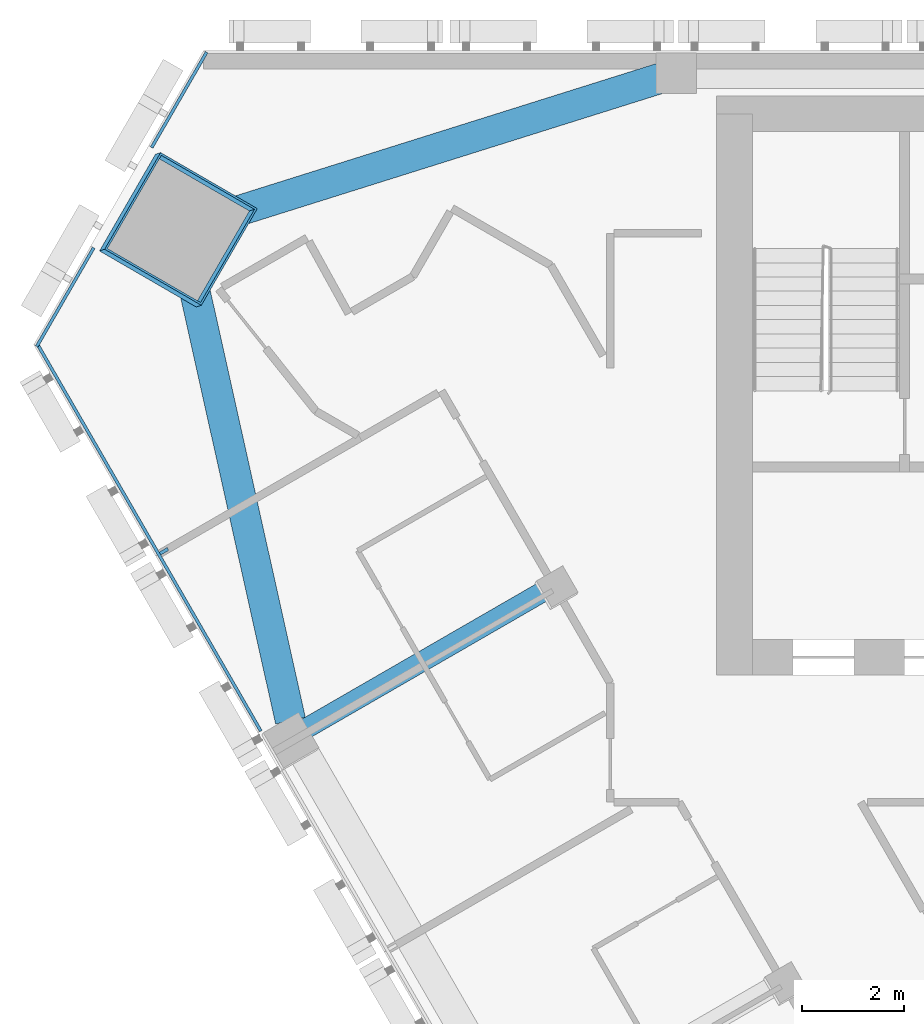
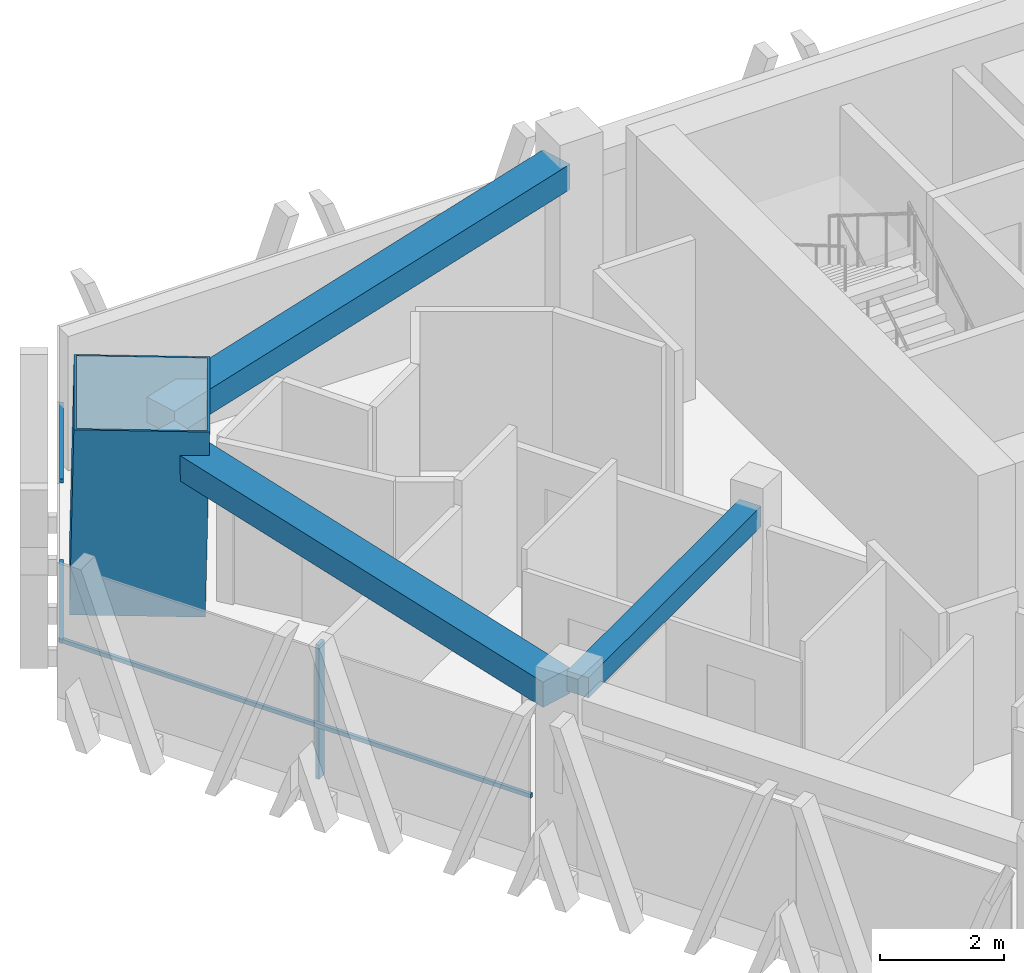
# One storey, part 5 of 16: 5 members, 3 beams, 2 elements without a shape of their own.
"""IFC4 building model written with IfcOpenShell, lengths in metres."""

from ifc_helpers import new_model, si_unit, direction, frame, origin, origin_2d, place, context, subcontext, project, spatial, rectangle, hollow_rectangle, extrude, material, layer, layer_set, material_profile, profile_set, type_object, element, aggregate, save


model = new_model("IFC4")

# Units and contexts
model_context = context("Model", 3, precision=1e-05, world=origin(), true_north=direction((0.0, 1.0)))
body_context = subcontext(model_context, "Body", "Model", "MODEL_VIEW")
ifc_project = project(units=[si_unit("LENGTHUNIT", "METRE"), si_unit("AREAUNIT", "SQUARE_METRE"), si_unit("VOLUMEUNIT", "CUBIC_METRE"), si_unit("PLANEANGLEUNIT", "RADIAN"), si_unit("MASSUNIT", "GRAM", prefix="KILO")], contexts=[model_context])

# Site, building, storey
site_placement = place(None, origin())
site = spatial("IfcSite", under=ifc_project, at=site_placement, CompositionType="ELEMENT")
building_placement = place(site_placement, origin())
building = spatial("IfcBuilding", under=site, at=building_placement, Name="Altiplano Prism Tower", CompositionType="ELEMENT")
storey_placement = place(building_placement, frame((0.0, 0.0, 181.800048828125)))
storey = spatial("IfcBuildingStorey", under=building, at=storey_placement, Name="L47", CompositionType="ELEMENT", Elevation=181.800048828125)

# Curtain wall, member
ifc_material_1 = material(Name="Aluminium and glass", Category="aluminium")
ifc_layer = layer(ifc_material_1, 0.280029296875)
ifc_layer_set = layer_set([ifc_layer], Name="Aluminium and glass")
curtain_wall_type = type_object("IfcCurtainWallType", Name="CW1 typical co-living unitised curtain wall", PredefinedType="NOTDEFINED", material=ifc_layer_set)
curtain_wall_1_placement = place(storey_placement, origin())
curtain_wall_1 = element("IfcCurtainWall", 1, at=curtain_wall_1_placement, inside=storey, type_object=curtain_wall_type, Name="CW1 curtain wall south-west face L47", PredefinedType="NOTDEFINED")
ifc_material_2 = material(Name="Aluminium", Category="aluminium")
ifc_material_profile_1 = material_profile(ifc_material_2, rectangle(XDim=0.179931640625, YDim=0.06494140625, at=origin_2d()), Name="CW1 mullion 65 x 180")
ifc_profile_set_1 = profile_set([ifc_material_profile_1], Name="Aluminium")
member_type_1 = type_object("IfcMemberType", Name="CW1 mullion 65 x 180", PredefinedType="MULLION", material=ifc_profile_set_1)
member_1_placement = place(storey_placement, frame((61.41748046875, 95.140869140625, 0.0), z_axis=(0.0, 0.0, 1.0), x_axis=(0.866025409055, 0.499999990871, 0.0)))
member_1 = element("IfcMember", 2, at=member_1_placement, type_object=member_type_1, Name="CW1 mullion", PredefinedType="MULLION", context=body_context, shape_type="SweptSolid", body=[
    extrude(rectangle(XDim=0.179931640625, YDim=0.06494140625, at=origin_2d()), origin(), (0.0, 0.0, 1.0), 2.64990234375),
])

# Curtain wall, members
curtain_wall_2_placement = place(storey_placement, origin())
curtain_wall_2 = element("IfcCurtainWall", 3, at=curtain_wall_2_placement, inside=storey, type_object=curtain_wall_type, Name="CW1 curtain wall north-west chamfer L47", PredefinedType="NOTDEFINED")
ifc_material_profile_2 = material_profile(ifc_material_2, rectangle(XDim=0.06005859375, YDim=0.080078125, at=origin_2d()), Name="CW1 transom 80 x 60")
ifc_profile_set_2 = profile_set([ifc_material_profile_2], Name="Aluminium")
member_type_2 = type_object("IfcMemberType", Name="CW1 transom 80 x 60", PredefinedType="USERDEFINED", material=ifc_profile_set_2)
member_2_placement = place(storey_placement, frame((62.2568359375, 104.965087890625, 1.099853515625), z_axis=(-0.49994694163, -0.866056034881, 0.0), x_axis=(0.866056034881, -0.49994694163, 0.0)))
member_2 = element("IfcMember", 4, at=member_2_placement, type_object=member_type_2, Name="CW1 transom", ObjectType="TRANSOM", PredefinedType="USERDEFINED", context=body_context, shape_type="SweptSolid", body=[
    extrude(rectangle(XDim=0.06005859375, YDim=0.080078125, at=origin_2d()), origin(), (0.0, 0.0, 1.0), 2.165283203125),
])
member_3_placement = place(storey_placement, frame((60.034423828125, 101.115478515625, 1.099853515625), z_axis=(-0.499998569178, -0.866026229868, 0.0), x_axis=(0.866026229868, -0.499998569178, 0.0)))
member_3 = element("IfcMember", 5, at=member_3_placement, type_object=member_type_2, Name="CW1 transom", ObjectType="TRANSOM", PredefinedType="USERDEFINED", context=body_context, shape_type="SweptSolid", body=[
    extrude(rectangle(XDim=0.06005859375, YDim=0.080078125, at=origin_2d()), origin(), (0.0, 0.0, 1.0), 2.2451171875),
])
aggregate(curtain_wall_2, [member_2, member_3])

# Member
member_4_placement = place(storey_placement, frame((58.911865234375, 99.240966796875, 1.099853515625), z_axis=(0.500007454112, -0.866021100108, 0.0), x_axis=(0.866021100108, 0.500007454112, 0.0)))
member_4 = element("IfcMember", 6, at=member_4_placement, type_object=member_type_2, Name="CW1 transom", ObjectType="TRANSOM", PredefinedType="USERDEFINED", context=body_context, shape_type="SweptSolid", body=[
    extrude(rectangle(XDim=0.06005859375, YDim=0.080078125, at=origin_2d()), origin(), (0.0, 0.0, 1.0), 8.823974609375),
])

aggregate(curtain_wall_1, [member_1, member_4])

# Beams
ifc_material_3 = material(Name="Concrete C60/75", Category="concrete")
ifc_material_profile_3 = material_profile(ifc_material_3, rectangle(XDim=0.60009765625, YDim=0.5, at=origin_2d()), Name="Edge beam 600x500")
ifc_profile_set_3 = profile_set([ifc_material_profile_3], Name="Concrete C60/75")
beam_type_1 = type_object("IfcBeamType", Name="Edge beam 600x500", PredefinedType="SPANDREL", material=ifc_profile_set_3)
for number, where, z_axis, x_axis, name in (
    (7, (71.214599609375, 104.460205078125, 2.89990234375), (-0.954000248647, -0.29980581312, 0.0), (0.29980581312, -0.954000248647, 0.0), "Edge beam P04-M0 L48"),
    (8, (61.849609375, 101.047119140625, 2.89990234375), (0.21735085258, -0.976093544125, 0.0), (0.976093544125, 0.21735085258, 0.0), "Edge beam M0-P11 L48"),
):
    element("IfcBeam", number, at=place(storey_placement, frame(where, z_axis=z_axis, x_axis=x_axis)), inside=storey, type_object=beam_type_1, Name=name, PredefinedType="SPANDREL", context=body_context, shape_type="SweptSolid", body=[
        extrude(rectangle(XDim=0.60009765625, YDim=0.5, at=origin_2d()), origin(), (0.0, 0.0, 1.0), 9.468994140625),
    ])

# Member
ifc_material_4 = material(Name="Steel S460", Category="steel")
ifc_material_profile_4 = material_profile(ifc_material_4, hollow_rectangle(XDim=2.199951171875, YDim=2.199951171875, WallThickness=0.0400390625, at=origin_2d()), Name="Mega column tube 2200")
ifc_profile_set_4 = profile_set([ifc_material_profile_4], Name="Steel S460")
member_type_3 = type_object("IfcMemberType", Name="Mega column tube 2200", PredefinedType="POST", material=ifc_profile_set_4)
member_5_placement = place(storey_placement, frame((61.649658203125, 101.453125, 0.0), z_axis=(0.028403739082, 0.009219352065, 0.999554016126), x_axis=(-0.865117148267, 0.501172504354, 0.019960978266)))
element("IfcMember", 9, at=member_5_placement, inside=storey, type_object=member_type_3, Name="Mega column tube M0 L47", PredefinedType="POST", context=body_context, shape_type="SweptSolid", body=[
    extrude(hollow_rectangle(XDim=2.199951171875, YDim=2.199951171875, WallThickness=0.0400390625, at=origin_2d()), origin(), (0.0, 0.0, 1.0), 3.6015625),
])

# Beam
ifc_material_profile_5 = material_profile(ifc_material_3, rectangle(XDim=0.39990234375, YDim=0.39990234375, at=origin_2d()), Name="Tie beam 400x400")
ifc_profile_set_5 = profile_set([ifc_material_profile_5], Name="Concrete C60/75")
beam_type_2 = type_object("IfcBeamType", Name="Tie beam 400x400", PredefinedType="BEAM", material=ifc_profile_set_5)
beam_placement = place(storey_placement, frame((69.056396484375, 94.447265625, 2.949951171875), z_axis=(-0.866041588165, -0.499971966783, 0.0), x_axis=(0.499971966783, -0.866041588165, 0.0)))
element("IfcBeam", 10, at=beam_placement, inside=storey, type_object=beam_type_2, Name="Tie beam I11 L48", PredefinedType="BEAM", context=body_context, shape_type="SweptSolid", body=[
    extrude(rectangle(XDim=0.39990234375, YDim=0.39990234375, at=origin_2d()), origin(), (0.0, 0.0, 1.0), 5.590087890625),
])

save(model, "model.ifc")
